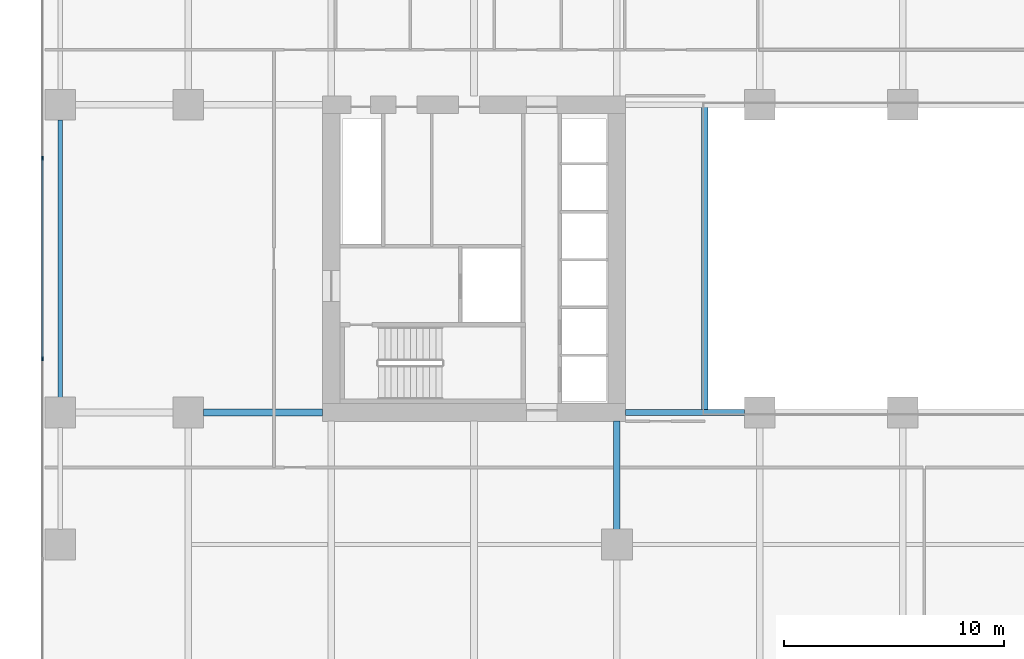
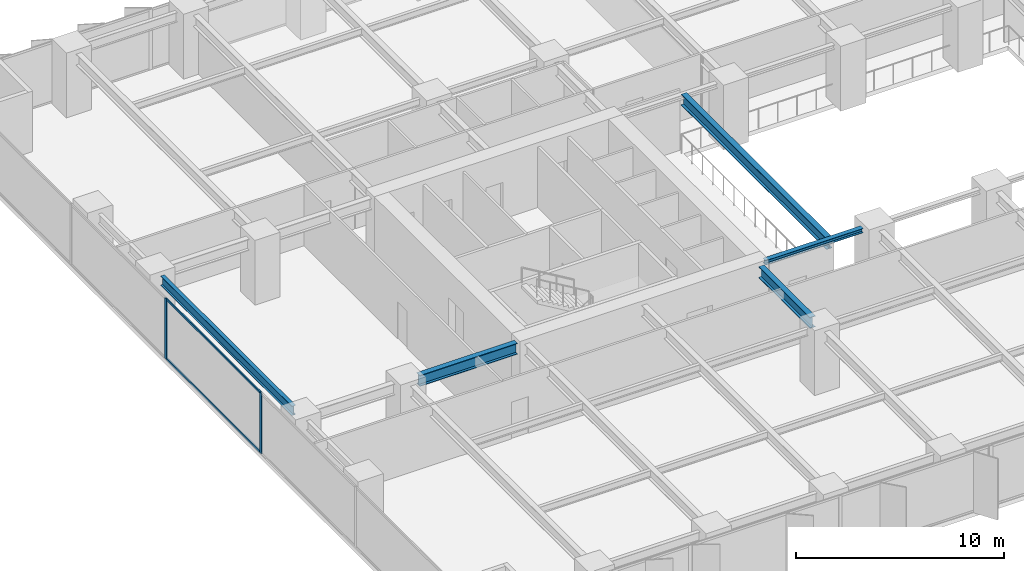
# One storey, part 4 of 20: 5 beams, 4 members, 1 element without a shape of its own.
"""IFC4 building model written with IfcOpenShell, lengths in metres."""

from ifc_helpers import new_model, si_unit, direction, frame, origin, origin_2d, place, context, subcontext, project, spatial, rectangle, i_section, extrude, material, layer, layer_set, material_profile, profile_set, type_object, element, aggregate, save


model = new_model("IFC4")

# Units and contexts
model_context = context("Model", 3, precision=1e-05, world=origin(), true_north=direction((0.0, 1.0)))
body_context = subcontext(model_context, "Body", "Model", "MODEL_VIEW")
ifc_project = project(units=[si_unit("LENGTHUNIT", "METRE"), si_unit("AREAUNIT", "SQUARE_METRE"), si_unit("VOLUMEUNIT", "CUBIC_METRE"), si_unit("PLANEANGLEUNIT", "RADIAN"), si_unit("MASSUNIT", "GRAM", prefix="KILO")], contexts=[model_context])

# Site, building, storey
site_placement = place(None, origin())
site = spatial("IfcSite", under=ifc_project, at=site_placement, CompositionType="ELEMENT")
building_placement = place(site_placement, origin())
building = spatial("IfcBuilding", under=site, at=building_placement, Name="Putna Gate Headquarters", CompositionType="ELEMENT")
storey_placement = place(building_placement, frame((0.0, 0.0, 27.800048828125)))
storey = spatial("IfcBuildingStorey", under=building, at=storey_placement, Name="L05", CompositionType="ELEMENT", Elevation=27.800048828125)

# Beams
ifc_material_1 = material(Name="Steel S355J2", Category="steel")
ifc_material_profile_1 = material_profile(ifc_material_1, i_section(OverallWidth=0.260009765625, OverallDepth=0.260009765625, WebThickness=0.010009765625, FlangeThickness=0.017578125, at=origin_2d()), Name="Steel S355J2")
ifc_profile_set_1 = profile_set([ifc_material_profile_1], Name="Steel S355J2")
beam_type_1 = type_object("IfcBeamType", Name="BM-ATRIUM-HEB260", PredefinedType="BEAM", material=ifc_profile_set_1)
beam_1_placement = place(storey_placement, frame((26.385009765625, 19.0, 3.419921875), z_axis=(1.0, 0.0, 0.0), x_axis=(0.0, 1.0, 0.0)))
element("IfcBeam", 1, at=beam_1_placement, inside=storey, type_object=beam_type_1, Name="L05 Atrium Edge Beam AS1", PredefinedType="BEAM", context=body_context, shape_type="SweptSolid", body=[
    extrude(i_section(OverallWidth=0.260009765625, OverallDepth=0.260009765625, WebThickness=0.010009765625, FlangeThickness=0.017578125, at=origin_2d()), origin(), (0.0, 0.0, 1.0), 5.427001953125),
])
ifc_material_profile_2 = material_profile(ifc_material_1, i_section(OverallWidth=0.300048828125, OverallDepth=0.64990234375, WebThickness=0.01611328125, FlangeThickness=0.031005859375, at=origin_2d()), Name="Steel S355J2")
ifc_profile_set_2 = profile_set([ifc_material_profile_2], Name="Steel S355J2")
beam_type_2 = type_object("IfcBeamType", Name="BM-GIRD-Z1-HEB650", PredefinedType="USERDEFINED", material=ifc_profile_set_2)
beam_2_placement = place(storey_placement, frame((7.18798828125, 19.0, 3.224853515625), z_axis=(1.0, 0.0, 0.0), x_axis=(0.0, 1.0, 0.0)))
element("IfcBeam", 2, at=beam_2_placement, inside=storey, type_object=beam_type_2, Name="L05 West Wing Girder Y19-2", ObjectType="GIRDER", PredefinedType="USERDEFINED", context=body_context, shape_type="SweptSolid", body=[
    extrude(i_section(OverallWidth=0.300048828125, OverallDepth=0.64990234375, WebThickness=0.01611328125, FlangeThickness=0.031005859375, at=origin_2d()), origin(), (0.0, 0.0, 1.0), 5.427001953125),
])
beam_3_placement = place(storey_placement, frame((26.0, 13.68798828125, 3.224853515625), z_axis=(0.0, 1.0, 0.0), x_axis=(-1.0, 0.0, 0.0)))
element("IfcBeam", 3, at=beam_3_placement, inside=storey, type_object=beam_type_2, Name="L05 South Primary Girder X26-2", ObjectType="GIRDER", PredefinedType="USERDEFINED", context=body_context, shape_type="SweptSolid", body=[
    extrude(i_section(OverallWidth=0.300048828125, OverallDepth=0.64990234375, WebThickness=0.01611328125, FlangeThickness=0.031005859375, at=origin_2d()), origin(), (0.0, 0.0, 1.0), 4.927001953125),
])
beam_4_placement = place(storey_placement, frame((30.0, 19.010009765625, 3.224853515625), z_axis=(0.0, 1.0, 0.0), x_axis=(-1.0, 0.0, 0.0)))
element("IfcBeam", 4, at=beam_4_placement, inside=storey, type_object=beam_type_2, Name="L05 Atrium Trim Girder AW", ObjectType="GIRDER", PredefinedType="USERDEFINED", context=body_context, shape_type="SweptSolid", body=[
    extrude(i_section(OverallWidth=0.300048828125, OverallDepth=0.64990234375, WebThickness=0.01611328125, FlangeThickness=0.031005859375, at=origin_2d()), origin(), (0.0, 0.0, 1.0), 13.97998046875),
])
ifc_material_profile_3 = material_profile(ifc_material_1, i_section(OverallWidth=0.2099609375, OverallDepth=0.550048828125, WebThickness=0.010986328125, FlangeThickness=0.01708984375, at=origin_2d()), Name="Steel S355J2")
ifc_profile_set_3 = profile_set([ifc_material_profile_3], Name="Steel S355J2")
beam_type_3 = type_object("IfcBeamType", Name="BM-SPAN-Z1-IPE550", PredefinedType="SPANDREL", material=ifc_profile_set_3)
beam_5_placement = place(storey_placement, frame((0.679931640625, 19.68798828125, 3.27490234375), z_axis=(0.0, 1.0, 0.0), x_axis=(-1.0, 0.0, 0.0)))
element("IfcBeam", 5, at=beam_5_placement, inside=storey, type_object=beam_type_3, Name="L05 W End Spandrel 2", PredefinedType="SPANDREL", context=body_context, shape_type="SweptSolid", body=[
    extrude(i_section(OverallWidth=0.2099609375, OverallDepth=0.550048828125, WebThickness=0.010986328125, FlangeThickness=0.01708984375, at=origin_2d()), origin(), (0.0, 0.0, 1.0), 12.6240234375),
])

# Curtain wall, members
ifc_material_2 = material(Name="Anodised bronze aluminium curtain wall", Category="aluminium")
ifc_layer = layer(ifc_material_2, 0.179931640625)
ifc_layer_set = layer_set([ifc_layer], Name="Anodised bronze aluminium curtain wall")
curtain_wall_type = type_object("IfcCurtainWallType", Name="CW-SYS-Z1", PredefinedType="USERDEFINED", material=ifc_layer_set)
curtain_wall_placement = place(storey_placement, origin())
curtain_wall = element("IfcCurtainWall", 6, at=curtain_wall_placement, inside=storey, type_object=curtain_wall_type, Name="L05 West Curtain Wall", ObjectType="STICK CURTAIN WALL", PredefinedType="USERDEFINED")
ifc_material_3 = material(Name="Anodised bronze aluminium EN AW-6060", Category="aluminium")
ifc_material_profile_4 = material_profile(ifc_material_3, rectangle(XDim=0.070068359375, YDim=0.179931640625, at=origin_2d()), Name="Anodised bronze aluminium EN AW-6060")
ifc_profile_set_4 = profile_set([ifc_material_profile_4], Name="Anodised bronze aluminium EN AW-6060")
member_type_1 = type_object("IfcMemberType", Name="MULL-CWM-1", PredefinedType="MULLION", material=ifc_profile_set_4)
member_1_placement = place(storey_placement, frame((-0.1201171875, 21.43994140625, 0.0), z_axis=(0.0, 0.0, 1.0), x_axis=(-1.0, 0.0, 0.0)))
member_1 = element("IfcMember", 7, at=member_1_placement, type_object=member_type_1, Name="CWS-1 mullion 3", PredefinedType="MULLION", context=body_context, shape_type="SweptSolid", body=[
    extrude(rectangle(XDim=0.070068359375, YDim=0.179931640625, at=origin_2d()), origin(), (0.0, 0.0, 1.0), 3.550048828125),
])
member_2_placement = place(storey_placement, frame((-0.1201171875, 30.56005859375, 0.0), z_axis=(0.0, 0.0, 1.0), x_axis=(-1.0, 0.0, 0.0)))
member_2 = element("IfcMember", 8, at=member_2_placement, type_object=member_type_1, Name="CWS-1 mullion 4", PredefinedType="MULLION", context=body_context, shape_type="SweptSolid", body=[
    extrude(rectangle(XDim=0.070068359375, YDim=0.179931640625, at=origin_2d()), origin(), (0.0, 0.0, 1.0), 3.550048828125),
])
ifc_material_profile_5 = material_profile(ifc_material_3, rectangle(XDim=0.06494140625, YDim=0.1201171875, at=origin_2d()), Name="Anodised bronze aluminium EN AW-6060")
ifc_profile_set_5 = profile_set([ifc_material_profile_5], Name="Anodised bronze aluminium EN AW-6060")
member_type_2 = type_object("IfcMemberType", Name="TRAN-CWT-1", PredefinedType="USERDEFINED", material=ifc_profile_set_5)
member_3_placement = place(storey_placement, frame((-0.1201171875, 21.47509765625, 0.032470703125), z_axis=(0.0, 1.0, 0.0), x_axis=(-1.0, 0.0, 0.0)))
member_3 = element("IfcMember", 9, at=member_3_placement, type_object=member_type_2, Name="CWS-1 transom 3.1", ObjectType="TRANSOM", PredefinedType="USERDEFINED", context=body_context, shape_type="SweptSolid", body=[
    extrude(rectangle(XDim=0.06494140625, YDim=0.1201171875, at=origin_2d()), origin(), (0.0, 0.0, 1.0), 9.0498046875),
])
member_4_placement = place(storey_placement, frame((-0.1201171875, 21.47509765625, 3.517333984375), z_axis=(0.0, 1.0, 0.0), x_axis=(-1.0, 0.0, 0.0)))
member_4 = element("IfcMember", 10, at=member_4_placement, type_object=member_type_2, Name="CWS-1 transom 3.2", ObjectType="TRANSOM", PredefinedType="USERDEFINED", context=body_context, shape_type="SweptSolid", body=[
    extrude(rectangle(XDim=0.06494140625, YDim=0.1201171875, at=origin_2d()), origin(), (0.0, 0.0, 1.0), 9.0498046875),
])
aggregate(curtain_wall, [member_1, member_2, member_3, member_4])

save(model, "model.ifc")
